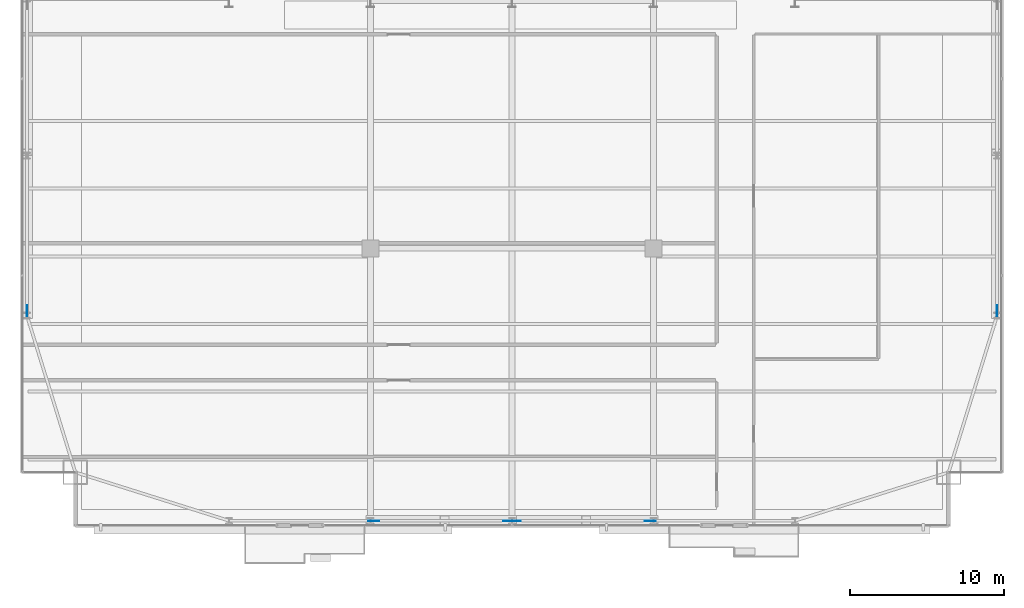
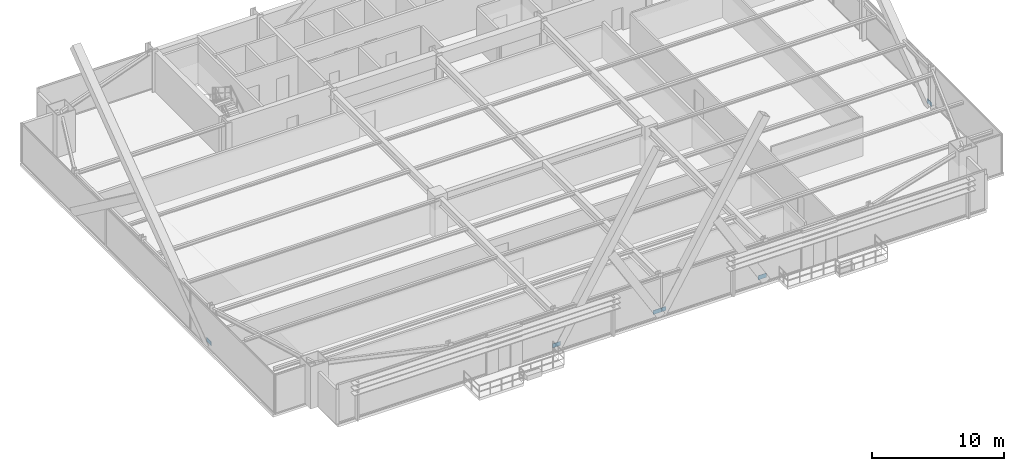
# One storey, part 26 of 32: 6 plates.
"""IFC4 building model written with IfcOpenShell, lengths in metres."""

from ifc_helpers import new_model, si_unit, direction, frame, origin, origin_2d, place, context, subcontext, project, spatial, rectangle, extrude, source, transform, mapped, material, layer, layer_set, type_object, type_shapes, element, save


model = new_model("IFC4")

# Units and contexts
model_context = context("Model", 3, precision=1e-05, world=origin(), true_north=direction((0.0, 1.0)))
body_context = subcontext(model_context, "Body", "Model", "MODEL_VIEW")
ifc_project = project(units=[si_unit("LENGTHUNIT", "METRE"), si_unit("AREAUNIT", "SQUARE_METRE"), si_unit("VOLUMEUNIT", "CUBIC_METRE"), si_unit("PLANEANGLEUNIT", "RADIAN"), si_unit("MASSUNIT", "GRAM", prefix="KILO")], contexts=[model_context])

# Site, building, storey
site_placement = place(None, origin())
site = spatial("IfcSite", under=ifc_project, at=site_placement, CompositionType="ELEMENT")
building_placement = place(site_placement, origin())
building = spatial("IfcBuilding", under=site, at=building_placement, Name="Varnel Quay Broadcast Tower", CompositionType="ELEMENT")
storey_placement = place(building_placement, frame((0.0, 0.0, 43.199951171875)))
storey = spatial("IfcBuildingStorey", under=building, at=storey_placement, Name="L09", CompositionType="ELEMENT", Elevation=43.199951171875)

# Plates
ifc_material = material(Name="Structural Steel CSA G40.21 350WT", Category="steel")
ifc_layer = layer(ifc_material, 0.031982421875, Name="Structural Steel CSA G40.21 350WT")
ifc_layer_set = layer_set([ifc_layer], Name="Structural Steel CSA G40.21 350WT")
plate_type = type_object("IfcPlateType", Name="Plate_EndCap", PredefinedType="USERDEFINED", material=ifc_layer_set)
shared_shape = source(origin(), body_context, "Body", "SweptSolid", [
    extrude(rectangle(XDim=0.719970703125, YDim=0.031982421875, at=origin_2d()), origin(), (0.0, 0.0, 1.0), 0.3798828125),
])
type_shapes(plate_type, [shared_shape])
for number, where, z_axis, x_axis, name in (
    (1, (24.99560546875, 1.64990234375, 0.15576171875), (0.0, 0.0, 1.0), (1.0, 0.0, 0.0), "Zone 1 Mega-Brace S-C1T2 Diag A End Connection Plate P0"),
    (2, (33.80419921875, 1.64990234375, 0.15576171875), (0.0, 0.0, 1.0), (1.0, 0.0, 0.0), "Zone 1 Mega-Brace S-C1T2 Diag B1 End Connection Plate P0"),
    (3, (34.19580078125, 1.64990234375, 0.15576171875), (0.0, 0.0, 1.0), (1.0, 0.0, 0.0), "Zone 1 Mega-Brace S-C2T2 Diag A End Connection Plate P0"),
    (4, (43.00439453125, 1.64990234375, 0.15576171875), (0.0, 0.0, 1.0), (1.0, 0.0, 0.0), "Zone 1 Mega-Brace S-C2T2 Diag B1 End Connection Plate P0"),
    (5, (2.449951171875, 15.304931640625, 0.056884765625), (0.0, 0.0, 1.0), (0.0, 1.0, 0.0), "Zone 1 Mega-Brace W-FT2 Diag A End Connection Plate P0"),
    (6, (65.550048828125, 15.304931640625, 0.056884765625), (0.0, 0.0, 1.0), (0.0, 1.0, 0.0), "Zone 1 Mega-Brace E-FT2 Diag A End Connection Plate P0"),
):
    element("IfcPlate", number, at=place(storey_placement, frame(where, z_axis=z_axis, x_axis=x_axis)), inside=storey, type_object=plate_type, Name=name, ObjectType="CAP_PLATE", PredefinedType="USERDEFINED", context=body_context, shape_type="MappedRepresentation", body=[
        mapped(shared_shape, transform((0.0, 0.0, 0.0), x_axis=(1.0, 0.0, 0.0), y_axis=(0.0, 1.0, 0.0), z_axis=(0.0, 0.0, 1.0), scale=1.0)),
    ])

save(model, "model.ifc")
